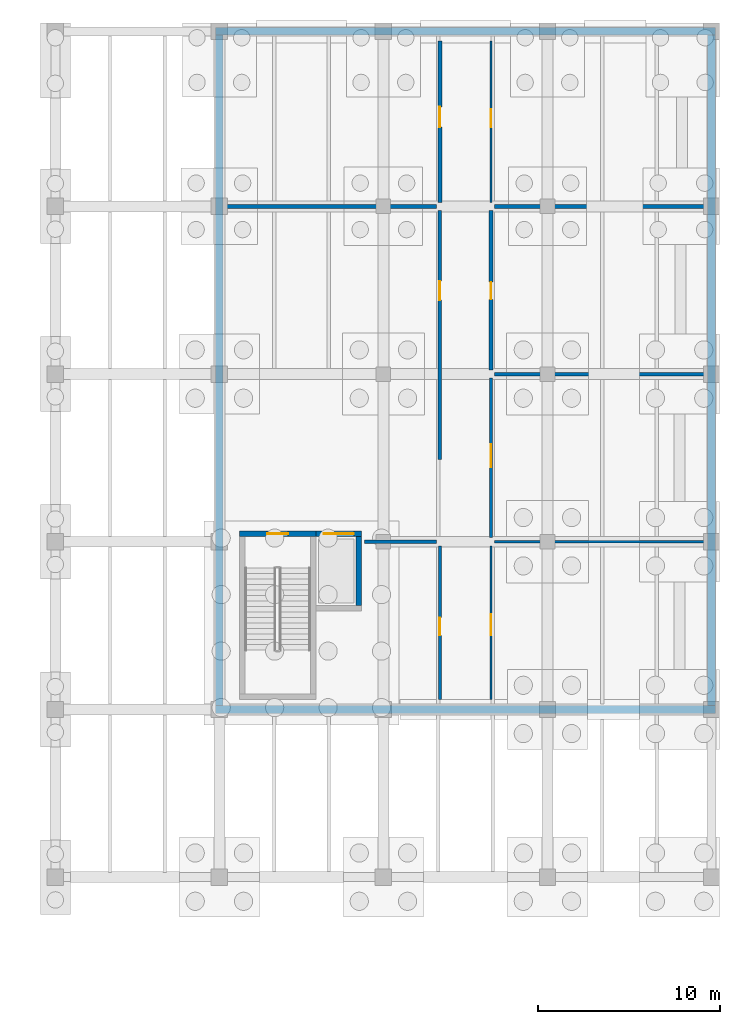
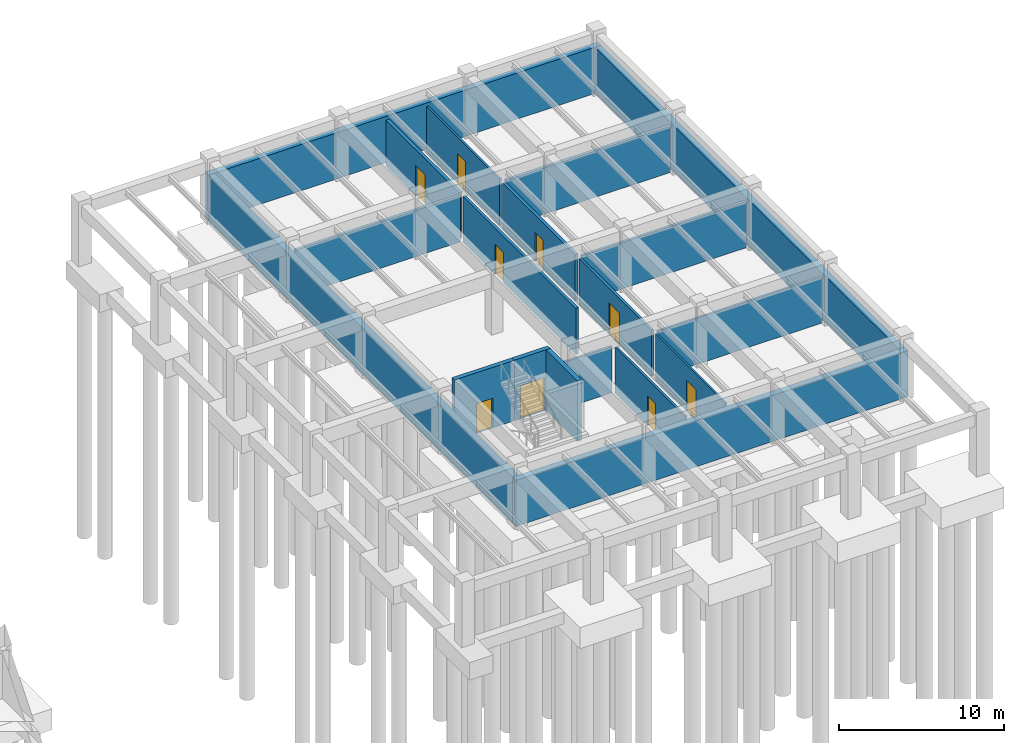
# One storey, part 11 of 16: 19 walls, 9 doors, 9 openings.
"""IFC4 building model written with IfcOpenShell, lengths in metres."""

from ifc_helpers import new_model, si_unit, direction, frame, frame_2d, origin, place, context, subcontext, project, spatial, rectangle, extrude, material, layer, layer_set, type_object, element, fill, save


model = new_model("IFC4")

# Units and contexts
model_context = context("Model", 3, precision=1e-05, world=origin(), true_north=direction((0.0, 1.0)))
body_context = subcontext(model_context, "Body", "Model", "MODEL_VIEW")
ifc_project = project(units=[si_unit("LENGTHUNIT", "METRE"), si_unit("AREAUNIT", "SQUARE_METRE"), si_unit("VOLUMEUNIT", "CUBIC_METRE"), si_unit("PLANEANGLEUNIT", "RADIAN"), si_unit("MASSUNIT", "GRAM", prefix="KILO")], contexts=[model_context])

# Site, building, storey
site_placement = place(None, origin())
site = spatial("IfcSite", under=ifc_project, at=site_placement, CompositionType="ELEMENT")
building_placement = place(site_placement, origin())
building = spatial("IfcBuilding", under=site, at=building_placement, Name="Bozkorgan Art Gallery", CompositionType="ELEMENT")
storey_placement = place(building_placement, frame((0.0, 0.0, -4.800048828125)))
storey = spatial("IfcBuildingStorey", under=building, at=storey_placement, Name="B1", CompositionType="ELEMENT", Elevation=-4.800048828125)

# Wall, opening, door
ifc_material_1 = material(Name="Concrete C40/50", Category="concrete")
ifc_layer_1 = layer(ifc_material_1, 0.300048828125, Name="Concrete C40/50")
ifc_layer_set_1 = layer_set([ifc_layer_1], Name="Concrete C40/50")
wall_type_1 = type_object("IfcWallType", Name="IWALL-CW-44", PredefinedType="SHEAR", material=ifc_layer_set_1)
wall_1_placement = place(storey_placement, frame((138.10009765625, 84.85009765625, 0.0), z_axis=(0.0, 0.0, 1.0), x_axis=(1.0, 0.0, 0.0)))
wall_1 = element("IfcWall", 1, at=wall_1_placement, inside=storey, type_object=wall_type_1, Name="CORE3 B1 stair core north shear wall", PredefinedType="SHEAR", context=body_context, shape_type="SweptSolid", body=[
    extrude(rectangle(XDim=4.199951171875, YDim=0.300048828125, at=frame_2d((2.10009765625, 0.0))), origin(), (0.0, 0.0, 1.0), 4.47998046875),
])
opening_1_placement = place(wall_1_placement, frame((2.6748046875, 0.0, 0.0), z_axis=(0.0, 0.0, 1.0), x_axis=(-1.0, 0.0, 0.0)))
opening_1 = element("IfcOpeningElement", 2, at=opening_1_placement, cuts=wall_1, Name="Opening SD-41", PredefinedType="OPENING", context=body_context, shape_type="SweptSolid", body=[
    extrude(rectangle(XDim=1.14990234375, YDim=2.199951171875, at=frame_2d((0.574951171875, 1.10009765625))), frame((0.0, 0.16015625, 0.0), z_axis=(0.0, -1.0, 0.0), x_axis=(1.0, 0.0, 0.0)), (0.0, 0.0, 1.0), 0.320068359375),
])
ifc_material_2 = material(Name="Steel S355J2", Category="steel")
door_type_1 = type_object("IfcDoorType", Name="IDOOR-SD-41", OperationType="NOTDEFINED", PredefinedType="DOOR", material=ifc_material_2)
door_1_placement = place(opening_1_placement, origin())
door_1 = element("IfcDoor", 3, at=door_1_placement, inside=storey, type_object=door_type_1, Name="ST3 B1 Fire Stair Door", OperationType="SINGLE_SWING_LEFT", OverallHeight=2.199951171875, OverallWidth=1.14990234375, PredefinedType="DOOR", context=body_context, shape_type="SweptSolid", body=[
    extrude(rectangle(XDim=1.14990234375, YDim=2.199951171875, at=frame_2d((0.574951171875, 1.10009765625))), frame((0.0, 0.02490234375, 0.0), z_axis=(0.0, -1.0, 0.0), x_axis=(1.0, 0.0, 0.0)), (0.0, 0.0, 1.0), 0.050048828125),
])
fill(opening_1, door_1)

wall_2_placement = place(storey_placement, frame((142.300048828125, 84.85009765625, 0.0), z_axis=(0.0, 0.0, 1.0), x_axis=(1.0, 0.0, 0.0)))
wall_2 = element("IfcWall", 4, at=wall_2_placement, inside=storey, type_object=wall_type_1, Name="GL1 B1 shaft front shear wall", PredefinedType="SHEAR", context=body_context, shape_type="SweptSolid", body=[
    extrude(rectangle(XDim=2.5, YDim=0.300048828125, at=frame_2d((1.25, 0.0))), origin(), (0.0, 0.0, 1.0), 4.47998046875),
])
opening_2_placement = place(wall_2_placement, frame((0.425048828125, 0.0, 0.0)))
opening_2 = element("IfcOpeningElement", 5, at=opening_2_placement, cuts=wall_2, Name="Opening LD-87", PredefinedType="OPENING", context=body_context, shape_type="SweptSolid", body=[
    extrude(rectangle(XDim=1.64990234375, YDim=2.449951171875, at=frame_2d((0.824951171875, 1.22509765625))), frame((0.0, 0.16015625, 0.0), z_axis=(0.0, -1.0, 0.0), x_axis=(1.0, 0.0, 0.0)), (0.0, 0.0, 1.0), 0.320068359375),
])
door_type_2 = type_object("IfcDoorType", Name="IDOOR-LD-87", OperationType="NOTDEFINED", PredefinedType="DOOR", material=ifc_material_2)
door_2_placement = place(opening_2_placement, origin())
door_2 = element("IfcDoor", 6, at=door_2_placement, inside=storey, type_object=door_type_2, Name="LD-GL1-B1 Lift Landing Door", OperationType="SLIDING_TO_LEFT", OverallHeight=2.449951171875, OverallWidth=1.64990234375, PredefinedType="DOOR", context=body_context, shape_type="SweptSolid", body=[
    extrude(rectangle(XDim=1.64990234375, YDim=2.449951171875, at=frame_2d((0.824951171875, 1.22509765625))), frame((0.0, 0.02490234375, 0.0), z_axis=(0.0, -1.0, 0.0), x_axis=(1.0, 0.0, 0.0)), (0.0, 0.0, 1.0), 0.050048828125),
])
fill(opening_2, door_2)

# Wall
wall_3_placement = place(storey_placement, frame((144.64990234375, 80.89990234375, 0.0), z_axis=(0.0, 0.0, 1.0), x_axis=(0.0, 1.0, 0.0)))
element("IfcWall", 7, at=wall_3_placement, inside=storey, type_object=wall_type_1, Name="GL1 B1 shaft E shear wall", PredefinedType="SHEAR", context=body_context, shape_type="SweptSolid", body=[
    extrude(rectangle(XDim=3.800048828125, YDim=0.300048828125, at=frame_2d((1.89990234375, 0.0))), origin(), (0.0, 0.0, 1.0), 4.47998046875),
])

# Wall, opening, door
ifc_material_3 = material(Name="Acoustic Gypsum & Mineral Wool Partition")
ifc_layer_2 = layer(ifc_material_3, 0.22998046875, Name="Acoustic Gypsum & Mineral Wool Partition")
ifc_layer_set_2 = layer_set([ifc_layer_2], Name="Acoustic Gypsum & Mineral Wool Partition")
wall_type_2 = type_object("IfcWallType", Name="IWALL-PR-08", PredefinedType="PARTITIONING", material=ifc_layer_set_2)
wall_4_placement = place(storey_placement, frame((149.10009765625, 103.02001953125, 0.0), z_axis=(0.0, 0.0, 1.0), x_axis=(0.0, 1.0, 0.0)))
wall_4 = element("IfcWall", 8, at=wall_4_placement, inside=storey, type_object=wall_type_2, Name="V5 B1 acoustic partition wall 275", PredefinedType="PARTITIONING", context=body_context, shape_type="SweptSolid", body=[
    extrude(rectangle(XDim=8.840087890625, YDim=0.22998046875, at=frame_2d((4.419921875, 0.0))), origin(), (0.0, 0.0, 1.0), 3.4150390625),
])
opening_3_placement = place(wall_4_placement, frame((5.2412109375, 0.0, 0.0), z_axis=(0.0, 0.0, 1.0), x_axis=(-1.0, 0.0, 0.0)))
opening_3 = element("IfcOpeningElement", 9, at=opening_3_placement, cuts=wall_4, Name="Opening FD-89", PredefinedType="OPENING", context=body_context, shape_type="SweptSolid", body=[
    extrude(rectangle(XDim=1.1201171875, YDim=2.260009765625, at=frame_2d((0.56005859375, 1.1298828125))), frame((0.0, 0.125, 0.0), z_axis=(0.0, -1.0, 0.0), x_axis=(1.0, 0.0, 0.0)), (0.0, 0.0, 1.0), 0.25),
])
ifc_material_4 = material(Name="Oiled European Oak Joinery")
door_type_3 = type_object("IfcDoorType", Name="IDOOR-FD-89", OperationType="NOTDEFINED", PredefinedType="DOOR", material=ifc_material_4)
door_3_placement = place(opening_3_placement, origin())
door_3 = element("IfcDoor", 10, at=door_3_placement, inside=storey, type_object=door_type_3, Name="Quarantine Acclimatisation Room Door", OperationType="SINGLE_SWING_RIGHT", OverallHeight=2.260009765625, OverallWidth=1.1201171875, PredefinedType="DOOR", context=body_context, shape_type="SweptSolid", body=[
    extrude(rectangle(XDim=1.1201171875, YDim=2.260009765625, at=frame_2d((0.56005859375, 1.1298828125))), frame((0.0, 0.02490234375, 0.0), z_axis=(0.0, -1.0, 0.0), x_axis=(1.0, 0.0, 0.0)), (0.0, 0.0, 1.0), 0.050048828125),
])
fill(opening_3, door_3)

ifc_layer_3 = layer(ifc_material_3, 0.2099609375, Name="Acoustic Gypsum & Mineral Wool Partition")
ifc_layer_set_3 = layer_set([ifc_layer_3], Name="Acoustic Gypsum & Mineral Wool Partition")
wall_type_3 = type_object("IfcWallType", Name="IWALL-PR-38", PredefinedType="PARTITIONING", material=ifc_layer_set_3)
wall_5_placement = place(storey_placement, frame((151.89990234375, 93.820068359375, 0.0), z_axis=(0.0, 0.0, 1.0), x_axis=(0.0, 1.0, 0.0)))
wall_5 = element("IfcWall", 11, at=wall_5_placement, inside=storey, type_object=wall_type_3, Name="V5 B1 acoustic partition wall 280", PredefinedType="PARTITIONING", context=body_context, shape_type="SweptSolid", body=[
    extrude(rectangle(XDim=8.760009765625, YDim=0.2099609375, at=frame_2d((4.3798828125, 0.0))), origin(), (0.0, 0.0, 1.0), 3.4150390625),
])
opening_4_placement = place(wall_5_placement, frame((3.8798828125, 0.0, 0.0)))
opening_4 = element("IfcOpeningElement", 12, at=opening_4_placement, cuts=wall_5, Name="Opening FD-92", PredefinedType="OPENING", context=body_context, shape_type="SweptSolid", body=[
    extrude(rectangle(XDim=0.949951171875, YDim=2.14990234375, at=frame_2d((0.47509765625, 1.074951171875))), frame((0.0, 0.114990234375, 0.0), z_axis=(0.0, -1.0, 0.0), x_axis=(1.0, 0.0, 0.0)), (0.0, 0.0, 1.0), 0.22998046875),
])
door_type_4 = type_object("IfcDoorType", Name="IDOOR-FD-92", OperationType="NOTDEFINED", PredefinedType="DOOR", material=ifc_material_4)
door_4_placement = place(opening_4_placement, origin())
door_4 = element("IfcDoor", 13, at=door_4_placement, inside=storey, type_object=door_type_4, Name="Collection Archive Room Door", OperationType="SINGLE_SWING_LEFT", OverallHeight=2.14990234375, OverallWidth=0.949951171875, PredefinedType="DOOR", context=body_context, shape_type="SweptSolid", body=[
    extrude(rectangle(XDim=0.949951171875, YDim=2.14990234375, at=frame_2d((0.47509765625, 1.074951171875))), frame((0.0, 0.02490234375, 0.0), z_axis=(0.0, -1.0, 0.0), x_axis=(1.0, 0.0, 0.0)), (0.0, 0.0, 1.0), 0.050048828125),
])
fill(opening_4, door_4)

ifc_layer_4 = layer(ifc_material_3, 0.169921875, Name="Acoustic Gypsum & Mineral Wool Partition")
ifc_layer_set_4 = layer_set([ifc_layer_4], Name="Acoustic Gypsum & Mineral Wool Partition")
wall_type_4 = type_object("IfcWallType", Name="IWALL-PR-40", PredefinedType="PARTITIONING", material=ifc_layer_set_4)
wall_6_placement = place(storey_placement, frame((151.89990234375, 84.6201171875, 0.0), z_axis=(0.0, 0.0, 1.0), x_axis=(0.0, 1.0, 0.0)))
wall_6 = element("IfcWall", 14, at=wall_6_placement, inside=storey, type_object=wall_type_4, Name="V5 B1 acoustic partition wall 278", PredefinedType="PARTITIONING", context=body_context, shape_type="SweptSolid", body=[
    extrude(rectangle(XDim=8.759765625, YDim=0.169921875, at=frame_2d((4.3798828125, 0.0))), origin(), (0.0, 0.0, 1.0), 3.4150390625),
])
opening_5_placement = place(wall_6_placement, frame((3.8798828125, 0.0, 0.0)))
opening_5 = element("IfcOpeningElement", 15, at=opening_5_placement, cuts=wall_6, Name="Opening FD-40", PredefinedType="OPENING", context=body_context, shape_type="SweptSolid", body=[
    extrude(rectangle(XDim=1.239990234375, YDim=2.320068359375, at=frame_2d((0.6201171875, 1.16015625))), frame((0.0, 0.094970703125, 0.0), z_axis=(0.0, -1.0, 0.0), x_axis=(1.0, 0.0, 0.0)), (0.0, 0.0, 1.0), 0.18994140625),
])
door_type_5 = type_object("IfcDoorType", Name="IDOOR-FD-40", OperationType="NOTDEFINED", PredefinedType="DOOR", material=ifc_material_4)
door_5_placement = place(opening_5_placement, origin())
door_5 = element("IfcDoor", 16, at=door_5_placement, inside=storey, type_object=door_type_5, Name="Conservation Chemical Store Door", OperationType="SINGLE_SWING_RIGHT", OverallHeight=2.320068359375, OverallWidth=1.239990234375, PredefinedType="DOOR", context=body_context, shape_type="SweptSolid", body=[
    extrude(rectangle(XDim=1.239990234375, YDim=2.320068359375, at=frame_2d((0.6201171875, 1.16015625))), frame((0.0, 0.02490234375, 0.0), z_axis=(0.0, -1.0, 0.0), x_axis=(1.0, 0.0, 0.0)), (0.0, 0.0, 1.0), 0.050048828125),
])
fill(opening_5, door_5)

ifc_layer_5 = layer(ifc_material_3, 0.14990234375, Name="Acoustic Gypsum & Mineral Wool Partition")
ifc_layer_set_5 = layer_set([ifc_layer_5], Name="Acoustic Gypsum & Mineral Wool Partition")
wall_type_5 = type_object("IfcWallType", Name="IWALL-PR-55", PredefinedType="PARTITIONING", material=ifc_layer_set_5)
wall_7_placement = place(storey_placement, frame((149.10009765625, 75.739990234375, 0.0), z_axis=(0.0, 0.0, 1.0), x_axis=(0.0, 1.0, 0.0)))
wall_7 = element("IfcWall", 17, at=wall_7_placement, inside=storey, type_object=wall_type_5, Name="V5 B1 acoustic partition wall 271", PredefinedType="PARTITIONING", context=body_context, shape_type="SweptSolid", body=[
    extrude(rectangle(XDim=8.43994140625, YDim=0.14990234375, at=frame_2d((4.219970703125, 0.0))), origin(), (0.0, 0.0, 1.0), 3.4150390625),
])
opening_6_placement = place(wall_7_placement, frame((4.498779296875, 0.0, 0.0), z_axis=(0.0, 0.0, 1.0), x_axis=(-1.0, 0.0, 0.0)))
opening_6 = element("IfcOpeningElement", 18, at=opening_6_placement, cuts=wall_7, Name="Opening FD-75", PredefinedType="OPENING", context=body_context, shape_type="SweptSolid", body=[
    extrude(rectangle(XDim=0.97998046875, YDim=2.179931640625, at=frame_2d((0.489990234375, 1.08984375))), frame((0.0, 0.0849609375, 0.0), z_axis=(0.0, -1.0, 0.0), x_axis=(1.0, 0.0, 0.0)), (0.0, 0.0, 1.0), 0.169921875),
])
door_type_6 = type_object("IfcDoorType", Name="IDOOR-FD-75", OperationType="NOTDEFINED", PredefinedType="DOOR", material=ifc_material_4)
door_6_placement = place(opening_6_placement, origin())
door_6 = element("IfcDoor", 19, at=door_6_placement, inside=storey, type_object=door_type_6, Name="Heavy Stone Sculpture Store Door", OperationType="SINGLE_SWING_RIGHT", OverallHeight=2.179931640625, OverallWidth=0.97998046875, PredefinedType="DOOR", context=body_context, shape_type="SweptSolid", body=[
    extrude(rectangle(XDim=0.97998046875, YDim=2.179931640625, at=frame_2d((0.489990234375, 1.08984375))), frame((0.0, 0.02490234375, 0.0), z_axis=(0.0, -1.0, 0.0), x_axis=(1.0, 0.0, 0.0)), (0.0, 0.0, 1.0), 0.050048828125),
])
fill(opening_6, door_6)

ifc_layer_6 = layer(ifc_material_3, 0.18994140625, Name="Acoustic Gypsum & Mineral Wool Partition")
ifc_layer_set_6 = layer_set([ifc_layer_6], Name="Acoustic Gypsum & Mineral Wool Partition")
wall_type_6 = type_object("IfcWallType", Name="IWALL-PR-66", PredefinedType="PARTITIONING", material=ifc_layer_set_6)
wall_8_placement = place(storey_placement, frame((149.10009765625, 88.89990234375, 0.0), z_axis=(0.0, 0.0, 1.0), x_axis=(0.0, 1.0, 0.0)))
wall_8 = element("IfcWall", 20, at=wall_8_placement, inside=storey, type_object=wall_type_6, Name="V5 B1 acoustic partition wall 273", PredefinedType="PARTITIONING", context=body_context, shape_type="SweptSolid", body=[
    extrude(rectangle(XDim=13.68017578125, YDim=0.18994140625, at=frame_2d((6.840087890625, 0.0))), origin(), (0.0, 0.0, 1.0), 3.4150390625),
])
opening_7_placement = place(wall_8_placement, frame((9.796142578125, 0.0, 0.0), z_axis=(0.0, 0.0, 1.0), x_axis=(-1.0, 0.0, 0.0)))
opening_7 = element("IfcOpeningElement", 21, at=opening_7_placement, cuts=wall_8, Name="Opening FD-96", PredefinedType="OPENING", context=body_context, shape_type="SweptSolid", body=[
    extrude(rectangle(XDim=1.0400390625, YDim=2.219970703125, at=frame_2d((0.52001953125, 1.10986328125))), frame((0.0, 0.10498046875, 0.0), z_axis=(0.0, -1.0, 0.0), x_axis=(1.0, 0.0, 0.0)), (0.0, 0.0, 1.0), 0.2099609375),
])
door_type_7 = type_object("IfcDoorType", Name="IDOOR-FD-96", OperationType="NOTDEFINED", PredefinedType="DOOR", material=ifc_material_4)
door_7_placement = place(opening_7_placement, origin())
door_7 = element("IfcDoor", 22, at=door_7_placement, inside=storey, type_object=door_type_7, Name="Frame Carpentry Workshop Door", OperationType="SINGLE_SWING_LEFT", OverallHeight=2.219970703125, OverallWidth=1.0400390625, PredefinedType="DOOR", context=body_context, shape_type="SweptSolid", body=[
    extrude(rectangle(XDim=1.0400390625, YDim=2.219970703125, at=frame_2d((0.52001953125, 1.10986328125))), frame((0.0, 0.02490234375, 0.0), z_axis=(0.0, -1.0, 0.0), x_axis=(1.0, 0.0, 0.0)), (0.0, 0.0, 1.0), 0.050048828125),
])
fill(opening_7, door_7)

ifc_layer_7 = layer(ifc_material_3, 0.1298828125, Name="Acoustic Gypsum & Mineral Wool Partition")
ifc_layer_set_7 = layer_set([ifc_layer_7], Name="Acoustic Gypsum & Mineral Wool Partition")
wall_type_7 = type_object("IfcWallType", Name="IWALL-PR-76", PredefinedType="PARTITIONING", material=ifc_layer_set_7)
wall_9_placement = place(storey_placement, frame((151.89990234375, 75.739990234375, 0.0), z_axis=(0.0, 0.0, 1.0), x_axis=(0.0, 1.0, 0.0)))
wall_9 = element("IfcWall", 23, at=wall_9_placement, inside=storey, type_object=wall_type_7, Name="V5 B1 acoustic partition wall 276", PredefinedType="PARTITIONING", context=body_context, shape_type="SweptSolid", body=[
    extrude(rectangle(XDim=8.43994140625, YDim=0.1298828125, at=frame_2d((4.219970703125, 0.0))), origin(), (0.0, 0.0, 1.0), 3.4150390625),
])
opening_8_placement = place(wall_9_placement, frame((3.518798828125, 0.0, 0.0)))
opening_8 = element("IfcOpeningElement", 24, at=opening_8_placement, cuts=wall_9, Name="Opening FD-03", PredefinedType="OPENING", context=body_context, shape_type="SweptSolid", body=[
    extrude(rectangle(XDim=1.159912109375, YDim=2.280029296875, at=frame_2d((0.580078125, 1.14013671875))), frame((0.0, 0.074951171875, 0.0), z_axis=(0.0, -1.0, 0.0), x_axis=(1.0, 0.0, 0.0)), (0.0, 0.0, 1.0), 0.14990234375),
])
door_type_8 = type_object("IfcDoorType", Name="IDOOR-FD-03", OperationType="NOTDEFINED", PredefinedType="DOOR", material=ifc_material_4)
door_8_placement = place(opening_8_placement, origin())
door_8 = element("IfcDoor", 25, at=door_8_placement, inside=storey, type_object=door_type_8, Name="Emergency Generator Room Door", OperationType="SINGLE_SWING_LEFT", OverallHeight=2.280029296875, OverallWidth=1.159912109375, PredefinedType="DOOR", context=body_context, shape_type="SweptSolid", body=[
    extrude(rectangle(XDim=1.159912109375, YDim=2.280029296875, at=frame_2d((0.580078125, 1.14013671875))), frame((0.0, 0.02490234375, 0.0), z_axis=(0.0, -1.0, 0.0), x_axis=(1.0, 0.0, 0.0)), (0.0, 0.0, 1.0), 0.050048828125),
])
fill(opening_8, door_8)

wall_10_placement = place(storey_placement, frame((151.89990234375, 103.02001953125, 0.0), z_axis=(0.0, 0.0, 1.0), x_axis=(0.0, 1.0, 0.0)))
wall_10 = element("IfcWall", 26, at=wall_10_placement, inside=storey, type_object=wall_type_7, Name="V5 B1 acoustic partition wall 282", PredefinedType="PARTITIONING", context=body_context, shape_type="SweptSolid", body=[
    extrude(rectangle(XDim=8.840087890625, YDim=0.1298828125, at=frame_2d((4.419921875, 0.0))), origin(), (0.0, 0.0, 1.0), 3.4150390625),
])
opening_9_placement = place(wall_10_placement, frame((4.12109375, 0.0, 0.0)))
opening_9 = element("IfcOpeningElement", 27, at=opening_9_placement, cuts=wall_10, Name="Opening FD-60", PredefinedType="OPENING", context=body_context, shape_type="SweptSolid", body=[
    extrude(rectangle(XDim=1.0, YDim=2.199951171875, at=frame_2d((0.5, 1.10009765625))), frame((0.0, 0.074951171875, 0.0), z_axis=(0.0, -1.0, 0.0), x_axis=(1.0, 0.0, 0.0)), (0.0, 0.0, 1.0), 0.14990234375),
])
door_type_9 = type_object("IfcDoorType", Name="IDOOR-FD-60", OperationType="NOTDEFINED", PredefinedType="DOOR", material=ifc_material_4)
door_9_placement = place(opening_9_placement, origin())
door_9 = element("IfcDoor", 28, at=door_9_placement, inside=storey, type_object=door_type_9, Name="Heavy Stone Sculpture Store Door", OperationType="SINGLE_SWING_RIGHT", OverallHeight=2.199951171875, OverallWidth=1.0, PredefinedType="DOOR", context=body_context, shape_type="SweptSolid", body=[
    extrude(rectangle(XDim=1.0, YDim=2.199951171875, at=frame_2d((0.5, 1.10009765625))), frame((0.0, 0.02490234375, 0.0), z_axis=(0.0, -1.0, 0.0), x_axis=(1.0, 0.0, 0.0)), (0.0, 0.0, 1.0), 0.050048828125),
])
fill(opening_9, door_9)

# Walls
ifc_layer_8 = layer(ifc_material_3, 0.169921875, Name="Acoustic Gypsum & Mineral Wool Partition")
ifc_layer_set_8 = layer_set([ifc_layer_8], Name="Acoustic Gypsum & Mineral Wool Partition")
wall_type_8 = type_object("IfcWallType", Name="IWALL-PW-02", PredefinedType="PARTITIONING", material=ifc_layer_set_8)
wall_11_placement = place(storey_placement, frame((144.9599609375, 84.39990234375, 0.0), z_axis=(0.0, 0.0, 1.0), x_axis=(1.0, 0.0, 0.0)))
element("IfcWall", 29, at=wall_11_placement, inside=storey, type_object=wall_type_8, Name="V5 B1 acoustic partition wall 272", PredefinedType="PARTITIONING", context=body_context, shape_type="SweptSolid", body=[
    extrude(rectangle(XDim=3.93994140625, YDim=0.169921875, at=frame_2d((1.969970703125, 0.0))), origin(), (0.0, 0.0, 1.0), 3.4150390625),
])
ifc_layer_9 = layer(ifc_material_3, 0.14990234375, Name="Acoustic Gypsum & Mineral Wool Partition")
ifc_layer_set_9 = layer_set([ifc_layer_9], Name="Acoustic Gypsum & Mineral Wool Partition")
wall_type_9 = type_object("IfcWallType", Name="IWALL-PW-17", PredefinedType="PARTITIONING", material=ifc_layer_set_9)
wall_12_placement = place(storey_placement, frame((152.10009765625, 84.39990234375, 0.0), z_axis=(0.0, 0.0, 1.0), x_axis=(1.0, 0.0, 0.0)))
element("IfcWall", 30, at=wall_12_placement, inside=storey, type_object=wall_type_9, Name="V5 B1 acoustic partition wall 277", PredefinedType="PARTITIONING", context=body_context, shape_type="SweptSolid", body=[
    extrude(rectangle(XDim=11.5, YDim=0.14990234375, at=frame_2d((5.75, 0.0))), origin(), (0.0, 0.0, 1.0), 3.4150390625),
])
ifc_layer_10 = layer(ifc_material_3, 0.18994140625, Name="Acoustic Gypsum & Mineral Wool Partition")
ifc_layer_set_10 = layer_set([ifc_layer_10], Name="Acoustic Gypsum & Mineral Wool Partition")
wall_type_10 = type_object("IfcWallType", Name="IWALL-PW-23", PredefinedType="PARTITIONING", material=ifc_layer_set_10)
wall_13_placement = place(storey_placement, frame((152.10009765625, 93.60009765625, 0.0), z_axis=(0.0, 0.0, 1.0), x_axis=(1.0, 0.0, 0.0)))
element("IfcWall", 31, at=wall_13_placement, inside=storey, type_object=wall_type_10, Name="V5 B1 acoustic partition wall 279", PredefinedType="PARTITIONING", context=body_context, shape_type="SweptSolid", body=[
    extrude(rectangle(XDim=11.5, YDim=0.18994140625, at=frame_2d((5.75, 0.0))), origin(), (0.0, 0.0, 1.0), 3.4150390625),
])
ifc_layer_11 = layer(ifc_material_3, 0.2099609375, Name="Acoustic Gypsum & Mineral Wool Partition")
ifc_layer_set_11 = layer_set([ifc_layer_11], Name="Acoustic Gypsum & Mineral Wool Partition")
wall_type_11 = type_object("IfcWallType", Name="IWALL-PW-72", PredefinedType="PARTITIONING", material=ifc_layer_set_11)
wall_14_placement = place(storey_placement, frame((137.39990234375, 102.800048828125, 0.0), z_axis=(0.0, 0.0, 1.0), x_axis=(1.0, 0.0, 0.0)))
element("IfcWall", 32, at=wall_14_placement, inside=storey, type_object=wall_type_11, Name="V5 B1 acoustic partition wall 274", PredefinedType="PARTITIONING", context=body_context, shape_type="SweptSolid", body=[
    extrude(rectangle(XDim=11.5, YDim=0.2099609375, at=frame_2d((5.75, 0.0))), origin(), (0.0, 0.0, 1.0), 3.4150390625),
])
ifc_layer_12 = layer(ifc_material_3, 0.22998046875, Name="Acoustic Gypsum & Mineral Wool Partition")
ifc_layer_set_12 = layer_set([ifc_layer_12], Name="Acoustic Gypsum & Mineral Wool Partition")
wall_type_12 = type_object("IfcWallType", Name="IWALL-PW-96", PredefinedType="PARTITIONING", material=ifc_layer_set_12)
wall_15_placement = place(storey_placement, frame((152.10009765625, 102.800048828125, 0.0), z_axis=(0.0, 0.0, 1.0), x_axis=(1.0, 0.0, 0.0)))
element("IfcWall", 33, at=wall_15_placement, inside=storey, type_object=wall_type_12, Name="V5 B1 acoustic partition wall 281", PredefinedType="PARTITIONING", context=body_context, shape_type="SweptSolid", body=[
    extrude(rectangle(XDim=11.5, YDim=0.22998046875, at=frame_2d((5.75, 0.0))), origin(), (0.0, 0.0, 1.0), 3.4150390625),
])
ifc_layer_13 = layer(ifc_material_1, 0.419921875, Name="Concrete C40/50")
ifc_layer_set_13 = layer_set([ifc_layer_13], Name="Concrete C40/50")
wall_type_13 = type_object("IfcWallType", Name="WALL-RW-98", PredefinedType="SOLIDWALL", material=ifc_layer_set_13)
for number, where, z_axis, x_axis, name in (
    (34, (136.7900390625, 75.199951171875, 0.0), (0.0, 0.0, 1.0), (1.0, 0.0, 0.0), "V5 B1 perimeter retaining wall (S)"),
    (35, (136.7900390625, 112.39990234375, 0.0), (0.0, 0.0, 1.0), (1.0, 0.0, 0.0), "V5 B1 perimeter retaining wall (N)"),
):
    element("IfcWall", number, at=place(storey_placement, frame(where, z_axis=z_axis, x_axis=x_axis)), inside=storey, type_object=wall_type_13, Name=name, PredefinedType="SOLIDWALL", context=body_context, shape_type="SweptSolid", body=[
        extrude(rectangle(XDim=27.419921875, YDim=0.419921875, at=frame_2d((13.7099609375, 0.0))), origin(), (0.0, 0.0, 1.0), 3.4150390625),
    ])
for number, where, z_axis, x_axis, name in (
    (36, (137.0, 75.199951171875, 0.0), (0.0, 0.0, 1.0), (0.0, 1.0, 0.0), "V5 B1 perimeter retaining wall (W)"),
    (37, (164.0, 75.199951171875, 0.0), (0.0, 0.0, 1.0), (0.0, 1.0, 0.0), "V5 B1 perimeter retaining wall (E)"),
):
    element("IfcWall", number, at=place(storey_placement, frame(where, z_axis=z_axis, x_axis=x_axis)), inside=storey, type_object=wall_type_13, Name=name, PredefinedType="SOLIDWALL", context=body_context, shape_type="SweptSolid", body=[
        extrude(rectangle(XDim=37.199951171875, YDim=0.419921875, at=frame_2d((18.60009765625, 0.0))), origin(), (0.0, 0.0, 1.0), 3.4150390625),
    ])

save(model, "model.ifc")
